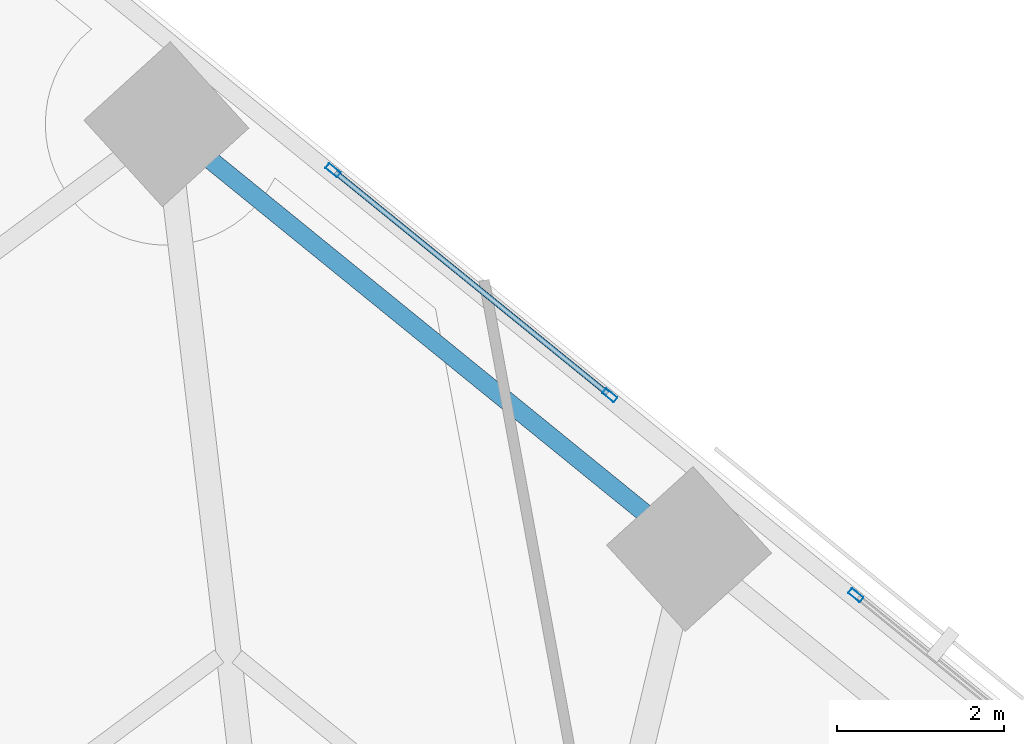
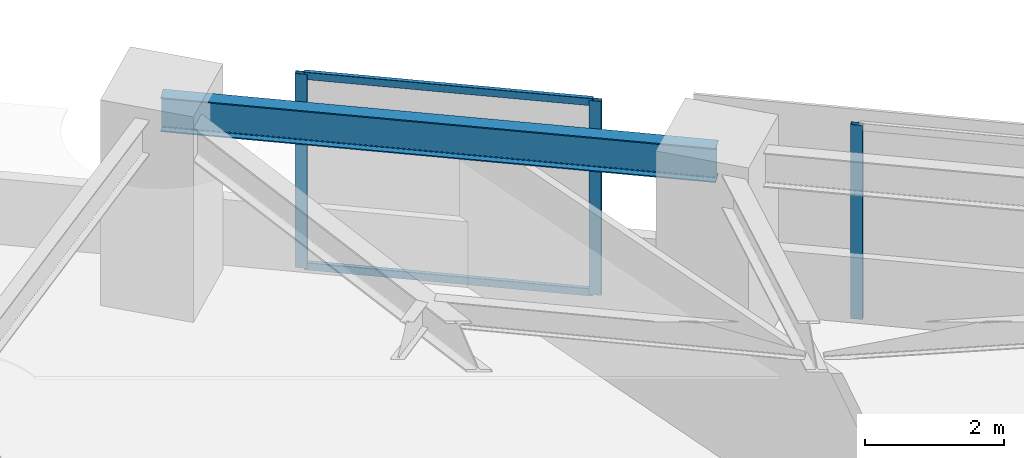
# One storey, part 9 of 17: 5 members, 1 beam, 2 elements without a shape of their own.
"""IFC4 building model written with IfcOpenShell, lengths in metres."""

from ifc_helpers import new_model, si_unit, direction, frame, origin, origin_2d, place, context, subcontext, project, spatial, hollow_rectangle, i_section, extrude, material, material_profile, profile_set, type_object, element, aggregate, save


model = new_model("IFC4")

# Units and contexts
model_context = context("Model", 3, precision=1e-05, world=origin(), true_north=direction((0.0, 1.0)))
body_context = subcontext(model_context, "Body", "Model", "MODEL_VIEW")
ifc_project = project(units=[si_unit("LENGTHUNIT", "METRE"), si_unit("AREAUNIT", "SQUARE_METRE"), si_unit("VOLUMEUNIT", "CUBIC_METRE"), si_unit("PLANEANGLEUNIT", "RADIAN"), si_unit("MASSUNIT", "GRAM", prefix="KILO")], contexts=[model_context])

# Site, building, storey
site_placement = place(None, origin())
site = spatial("IfcSite", under=ifc_project, at=site_placement, CompositionType="ELEMENT")
building_placement = place(site_placement, origin())
building = spatial("IfcBuilding", under=site, at=building_placement, Name="Narakoshi Arena Tower", CompositionType="ELEMENT")
storey_placement = place(building_placement, frame((0.0, 0.0, 30.300048828125)))
storey = spatial("IfcBuildingStorey", under=building, at=storey_placement, Name="L07", CompositionType="ELEMENT", Elevation=30.300048828125)

# Beam
ifc_material_1 = material(Name="Structural steel S355J2", Category="steel")
ifc_material_profile_1 = material_profile(ifc_material_1, i_section(OverallWidth=0.219970703125, OverallDepth=0.60009765625, WebThickness=0.011962890625, FlangeThickness=0.01904296875, FilletRadius=0.02392578125, at=origin_2d()), Name="IPE600")
ifc_profile_set_1 = profile_set([ifc_material_profile_1], Name="Structural steel S355J2")
beam_type = type_object("IfcBeamType", Name="BM-EDGE-600", PredefinedType="BEAM", material=ifc_profile_set_1)
beam_placement = place(storey_placement, frame((75.794189453125, 72.392333984375, 3.099853515625), z_axis=(-0.775993703931, 0.63074065309, 0.0), x_axis=(-0.63074065309, -0.775993703931, 0.0)))
element("IfcBeam", 1, at=beam_placement, inside=storey, type_object=beam_type, Name="L07 Perimeter Edge Girder 11", PredefinedType="BEAM", context=body_context, shape_type="SweptSolid", body=[
    extrude(i_section(OverallWidth=0.219970703125, OverallDepth=0.60009765625, WebThickness=0.011962890625, FlangeThickness=0.01904296875, FilletRadius=0.02392578125, at=origin_2d()), origin(), (0.0, 0.0, 1.0), 8.0712890625),
])

# Curtain wall, member
ifc_material_2 = material(Name="Anodised bronze aluminium 6063-T6", Category="aluminium")
curtain_wall_type = type_object("IfcCurtainWallType", Name="CW-HYP-LOW", PredefinedType="NOTDEFINED", material=ifc_material_2)
curtain_wall_1_placement = place(storey_placement, origin())
curtain_wall_1 = element("IfcCurtainWall", 2, at=curtain_wall_1_placement, inside=storey, type_object=curtain_wall_type, Name="L07 Folded Hypotenuse Curtain Wall 2-3", PredefinedType="NOTDEFINED")
ifc_material_profile_2 = material_profile(ifc_material_2, hollow_rectangle(XDim=0.074951171875, YDim=0.179931640625, WallThickness=0.00390625, OuterFilletRadius=0.0048828125, at=origin_2d()), Name="MUL180x75x4")
ifc_profile_set_2 = profile_set([ifc_material_profile_2], Name="Anodised bronze aluminium 6063-T6")
member_type_1 = type_object("IfcMemberType", Name="MEM-MUL-180", PredefinedType="MULLION", material=ifc_profile_set_2)
member_1_placement = place(storey_placement, frame((77.791015625, 71.8388671875, 0.0), z_axis=(0.0, 0.0, 1.0), x_axis=(-0.630722984816, -0.776008064665, 0.0)))
member_1 = element("IfcMember", 3, at=member_1_placement, type_object=member_type_1, Name="CW-01 mullion 2", PredefinedType="MULLION", context=body_context, shape_type="SweptSolid", body=[
    extrude(hollow_rectangle(XDim=0.074951171875, YDim=0.179931640625, WallThickness=0.00390625, OuterFilletRadius=0.0048828125, at=origin_2d()), origin(), (0.0, 0.0, 1.0), 3.39990234375),
])
aggregate(curtain_wall_1, [member_1])

# Curtain wall, members
curtain_wall_2_placement = place(storey_placement, origin())
curtain_wall_2 = element("IfcCurtainWall", 4, at=curtain_wall_2_placement, inside=storey, type_object=curtain_wall_type, Name="L07 Folded Hypotenuse Curtain Wall 2-4", PredefinedType="NOTDEFINED")
member_2_placement = place(storey_placement, frame((74.843994140625, 74.234130859375, 0.0), z_axis=(0.0, 0.0, 1.0), x_axis=(-0.630733728817, -0.775999332044, 0.0)))
member_2 = element("IfcMember", 5, at=member_2_placement, type_object=member_type_1, Name="CW-01 mullion 1", PredefinedType="MULLION", context=body_context, shape_type="SweptSolid", body=[
    extrude(hollow_rectangle(XDim=0.074951171875, YDim=0.179931640625, WallThickness=0.00390625, OuterFilletRadius=0.0048828125, at=origin_2d()), origin(), (0.0, 0.0, 1.0), 3.39990234375),
])
member_3_placement = place(storey_placement, frame((71.52783203125, 76.9296875, 0.0), z_axis=(0.0, 0.0, 1.0), x_axis=(-0.630733728817, -0.775999332044, 0.0)))
member_3 = element("IfcMember", 6, at=member_3_placement, type_object=member_type_1, Name="CW-01 mullion 2", PredefinedType="MULLION", context=body_context, shape_type="SweptSolid", body=[
    extrude(hollow_rectangle(XDim=0.074951171875, YDim=0.179931640625, WallThickness=0.00390625, OuterFilletRadius=0.0048828125, at=origin_2d()), origin(), (0.0, 0.0, 1.0), 3.39990234375),
])
ifc_material_profile_3 = material_profile(ifc_material_2, hollow_rectangle(XDim=0.06494140625, YDim=0.1298828125, WallThickness=0.00390625, OuterFilletRadius=0.0048828125, at=origin_2d()), Name="TRN130x65x4")
ifc_profile_set_3 = profile_set([ifc_material_profile_3], Name="Anodised bronze aluminium 6063-T6")
member_type_2 = type_object("IfcMemberType", Name="MEM-TRN-130", PredefinedType="USERDEFINED", material=ifc_profile_set_3)
member_4_placement = place(storey_placement, frame((74.81494140625, 74.2578125, 0.032470703125), z_axis=(-0.775994815564, 0.630739285457, 0.0), x_axis=(-0.630739285457, -0.775994815564, 0.0)))
member_4 = element("IfcMember", 7, at=member_4_placement, type_object=member_type_2, Name="CW-01 transom 1.1", ObjectType="TRANSOM", PredefinedType="USERDEFINED", context=body_context, shape_type="SweptSolid", body=[
    extrude(hollow_rectangle(XDim=0.06494140625, YDim=0.1298828125, WallThickness=0.00390625, OuterFilletRadius=0.0048828125, at=origin_2d()), origin(), (0.0, 0.0, 1.0), 4.198486328125),
])
member_5_placement = place(storey_placement, frame((74.81494140625, 74.2578125, 3.367431640625), z_axis=(-0.775994815564, 0.630739285457, 0.0), x_axis=(-0.630739285457, -0.775994815564, 0.0)))
member_5 = element("IfcMember", 8, at=member_5_placement, type_object=member_type_2, Name="CW-01 transom 1.2", ObjectType="TRANSOM", PredefinedType="USERDEFINED", context=body_context, shape_type="SweptSolid", body=[
    extrude(hollow_rectangle(XDim=0.06494140625, YDim=0.1298828125, WallThickness=0.00390625, OuterFilletRadius=0.0048828125, at=origin_2d()), origin(), (0.0, 0.0, 1.0), 4.198486328125),
])
aggregate(curtain_wall_2, [member_2, member_3, member_4, member_5])

save(model, "model.ifc")
